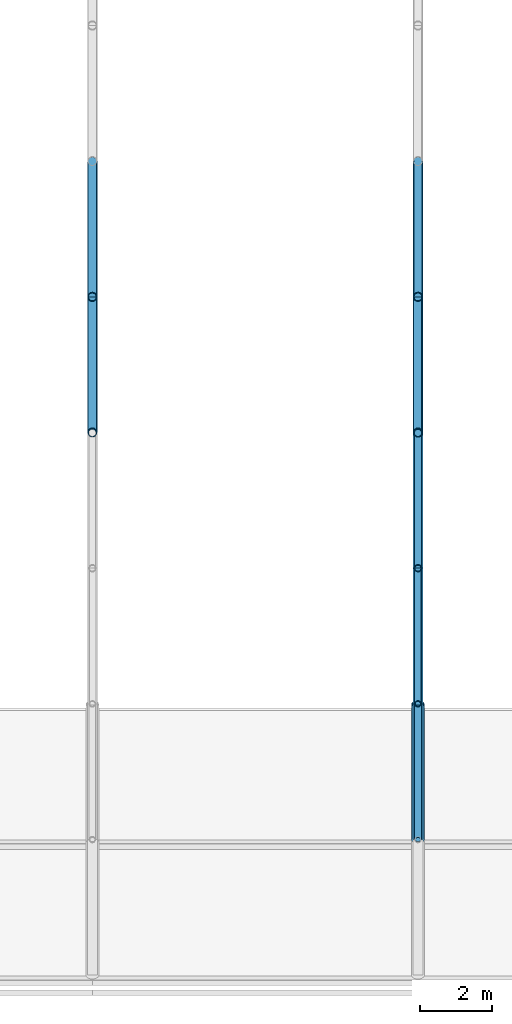
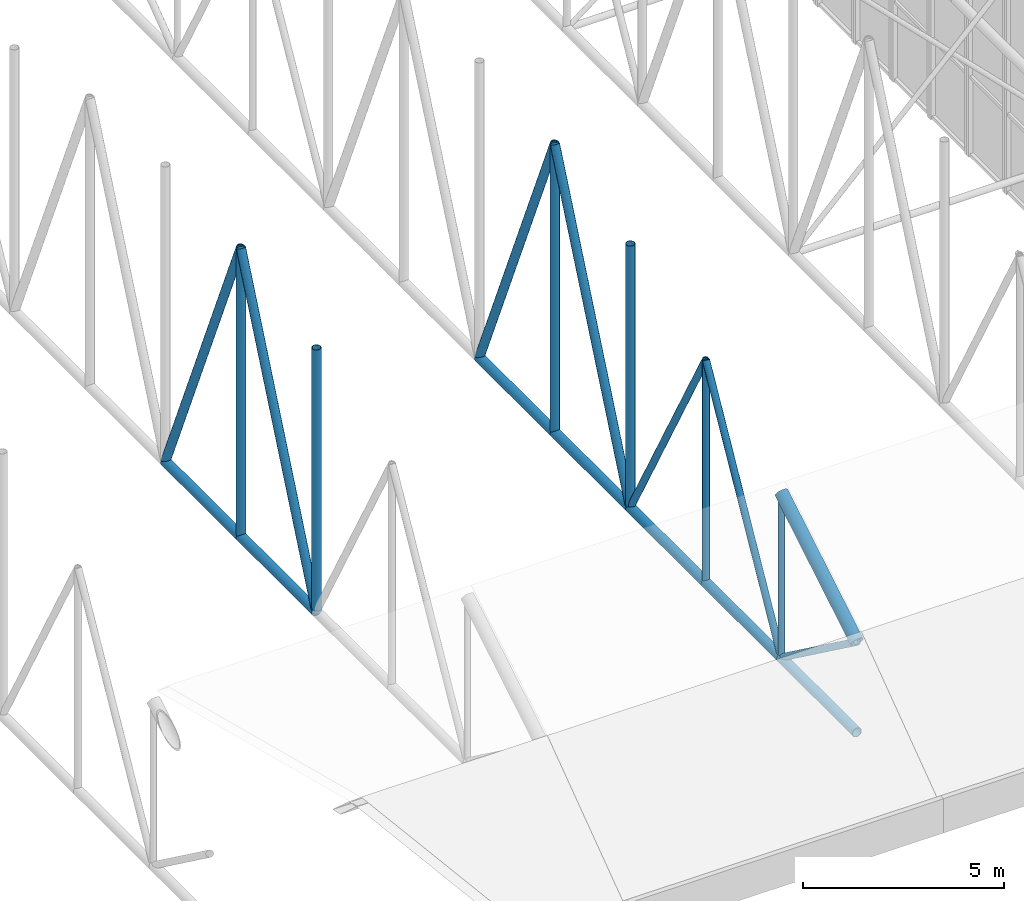
# One storey, part 61 of 153: 21 members.
"""IFC4 building model written with IfcOpenShell, lengths in metres."""

from ifc_helpers import new_model, si_unit, direction, frame, origin, origin_2d, place, context, subcontext, project, spatial, hollow_circle, extrude, material, material_profile, profile_set, type_object, element, save


model = new_model("IFC4")

# Units and contexts
model_context = context("Model", 3, precision=1e-05, world=origin(), true_north=direction((0.0, 1.0)))
body_context = subcontext(model_context, "Body", "Model", "MODEL_VIEW")
ifc_project = project(units=[si_unit("LENGTHUNIT", "METRE"), si_unit("AREAUNIT", "SQUARE_METRE"), si_unit("VOLUMEUNIT", "CUBIC_METRE"), si_unit("PLANEANGLEUNIT", "RADIAN"), si_unit("MASSUNIT", "GRAM", prefix="KILO")], contexts=[model_context])

# Site, building, storey
site_placement = place(None, origin())
site = spatial("IfcSite", under=ifc_project, at=site_placement, CompositionType="ELEMENT")
building_placement = place(site_placement, origin())
building = spatial("IfcBuilding", under=site, at=building_placement, Name="Baradari Gate Terminus", CompositionType="ELEMENT")
storey_placement = place(building_placement, frame((0.0, 0.0, 11.699951171875)))
storey = spatial("IfcBuildingStorey", under=building, at=storey_placement, Name="L02", CompositionType="ELEMENT", Elevation=11.699951171875)

# Members
ifc_material_1 = material(Name="Steel S355", Category="steel")
ifc_material_profile_1 = material_profile(ifc_material_1, hollow_circle(Radius=0.136474609375, WallThickness=0.012451171875, at=origin_2d()), Name="CHS 273x12.5")
ifc_profile_set_1 = profile_set([ifc_material_profile_1], Name="Steel S355")
member_type_1 = type_object("IfcMemberType", Name="Shed bottom chord CHS 273x12.5", PredefinedType="CHORD", material=ifc_profile_set_1)
for number, where, z_axis, x_axis, name in (
    (1, (216.0, 51.0, 0.136474609375), (0.0, 1.0, 0.0), (-1.0, 0.0, 0.0), "TR/L02/S216-BC04"),
    (2, (216.0, 54.75, 0.136474609375), (0.0, 1.0, 0.0), (-1.0, 0.0, 0.0), "TR/L02/S216-BC05"),
    (3, (225.0, 39.75, 0.136474609375), (0.0, 1.0, 0.0), (-1.0, 0.0, 0.0), "TR/L02/S225-BC01"),
    (4, (225.0, 43.5, 0.136474609375), (0.0, 1.0, 0.0), (-1.0, 0.0, 0.0), "TR/L02/S225-BC02"),
    (5, (225.0, 47.25, 0.136474609375), (0.0, 1.0, 0.0), (-1.0, 0.0, 0.0), "TR/L02/S225-BC03"),
    (6, (225.0, 51.0, 0.136474609375), (0.0, 1.0, 0.0), (-1.0, 0.0, 0.0), "TR/L02/S225-BC04"),
    (7, (225.0, 54.75, 0.136474609375), (0.0, 1.0, 0.0), (-1.0, 0.0, 0.0), "TR/L02/S225-BC05"),
):
    element("IfcMember", number, at=place(storey_placement, frame(where, z_axis=z_axis, x_axis=x_axis)), inside=storey, type_object=member_type_1, Name=name, PredefinedType="CHORD", context=body_context, shape_type="SweptSolid", body=[
        extrude(hollow_circle(Radius=0.136474609375, WallThickness=0.012451171875, at=origin_2d()), origin(), (0.0, 0.0, 1.0), 3.75),
    ])
ifc_material_2 = material(Name="Steel S355", Category="steel")
ifc_material_profile_2 = material_profile(ifc_material_2, hollow_circle(Radius=0.177734375, WallThickness=0.01611328125, at=origin_2d()), Name="CHS 355.6x16")
ifc_profile_set_2 = profile_set([ifc_material_profile_2], Name="Steel S355")
member_type_2 = type_object("IfcMemberType", Name="Shed top chord CHS 355.6x16", PredefinedType="CHORD", material=ifc_profile_set_2)
member_1_placement = place(storey_placement, frame((225.0, 39.75, 2.886474609375), z_axis=(0.0, 0.857492925713, 0.514495755428), x_axis=(-1.0, 0.0, 0.0)))
element("IfcMember", 8, at=member_1_placement, inside=storey, type_object=member_type_2, Name="TR/L02/S225-TC01", PredefinedType="CHORD", context=body_context, shape_type="SweptSolid", body=[
    extrude(hollow_circle(Radius=0.177734375, WallThickness=0.01611328125, at=origin_2d()), origin(), (0.0, 0.0, 1.0), 4.373291015625),
])
ifc_material_3 = material(Name="Steel S355", Category="steel")
ifc_material_profile_3 = material_profile(ifc_material_3, hollow_circle(Radius=0.096923828125, WallThickness=0.008056640625, at=origin_2d()), Name="CHS 193.7x8")
ifc_profile_set_3 = profile_set([ifc_material_profile_3], Name="Steel S355")
member_type_3 = type_object("IfcMemberType", Name="Shed truss diagonal CHS 193.7x8", PredefinedType="BRACE", material=ifc_profile_set_3)
member_2_placement = place(storey_placement, frame((225.0, 39.75, 2.886474609375), z_axis=(0.0, 0.806404995856, -0.591363663628), x_axis=(-1.0, 0.0, 0.0)))
element("IfcMember", 9, at=member_2_placement, inside=storey, type_object=member_type_3, Name="TR/L02/S225-SD01", PredefinedType="BRACE", context=body_context, shape_type="SweptSolid", body=[
    extrude(hollow_circle(Radius=0.096923828125, WallThickness=0.008056640625, at=origin_2d()), origin(), (0.0, 0.0, 1.0), 4.650390625),
])
for number, where, z_axis, x_axis, name in (
    (10, (225.0, 47.25, 6.886474609375), (0.0, -0.485642931179, -0.874157276122), (1.0, 0.0, 0.0), "TR/L02/S225-SD02"),
    (11, (225.0, 47.25, 6.886474609375), (0.0, 0.485642931179, -0.874157276122), (-1.0, 0.0, 0.0), "TR/L02/S225-SD03"),
):
    element("IfcMember", number, at=place(storey_placement, frame(where, z_axis=z_axis, x_axis=x_axis)), inside=storey, type_object=member_type_3, Name=name, PredefinedType="BRACE", context=body_context, shape_type="SweptSolid", body=[
        extrude(hollow_circle(Radius=0.096923828125, WallThickness=0.008056640625, at=origin_2d()), origin(), (0.0, 0.0, 1.0), 7.7216796875),
    ])
ifc_material_4 = material(Name="Steel S355", Category="steel")
ifc_material_profile_4 = material_profile(ifc_material_4, hollow_circle(Radius=0.122314453125, WallThickness=0.010009765625, at=origin_2d()), Name="CHS 244.5x10")
ifc_profile_set_4 = profile_set([ifc_material_profile_4], Name="Steel S355")
member_type_4 = type_object("IfcMemberType", Name="Shed truss diagonal CHS 244.5x10", PredefinedType="BRACE", material=ifc_profile_set_4)
for number, where, z_axis, x_axis, name in (
    (12, (216.0, 54.75, 8.886474609375), (0.0, -0.393919298579, -0.919145030018), (1.0, 0.0, 0.0), "TR/L02/S216-SD04"),
    (13, (216.0, 54.75, 8.886474609375), (0.0, 0.393919298579, -0.919145030018), (-1.0, 0.0, 0.0), "TR/L02/S216-SD05"),
    (14, (225.0, 54.75, 8.886474609375), (0.0, -0.393919298579, -0.919145030018), (1.0, 0.0, 0.0), "TR/L02/S225-SD04"),
    (15, (225.0, 54.75, 8.886474609375), (0.0, 0.393919298579, -0.919145030018), (-1.0, 0.0, 0.0), "TR/L02/S225-SD05"),
):
    element("IfcMember", number, at=place(storey_placement, frame(where, z_axis=z_axis, x_axis=x_axis)), inside=storey, type_object=member_type_4, Name=name, PredefinedType="BRACE", context=body_context, shape_type="SweptSolid", body=[
        extrude(hollow_circle(Radius=0.122314453125, WallThickness=0.010009765625, at=origin_2d()), origin(), (0.0, 0.0, 1.0), 9.519775390625),
    ])
ifc_material_5 = material(Name="Steel S355", Category="steel")
ifc_material_profile_5 = material_profile(ifc_material_5, hollow_circle(Radius=0.084228515625, WallThickness=0.008056640625, at=origin_2d()), Name="CHS 168.3x8")
ifc_profile_set_5 = profile_set([ifc_material_profile_5], Name="Steel S355")
member_type_5 = type_object("IfcMemberType", Name="Shed truss post CHS 168.3x8", PredefinedType="POST", material=ifc_profile_set_5)
member_3_placement = place(storey_placement, frame((225.0, 43.5, 0.136474609375), z_axis=(0.0, 0.0, 1.0), x_axis=(1.0, 0.0, 0.0)))
element("IfcMember", 16, at=member_3_placement, inside=storey, type_object=member_type_5, Name="TR/L02/S225-SP02", PredefinedType="POST", context=body_context, shape_type="SweptSolid", body=[
    extrude(hollow_circle(Radius=0.084228515625, WallThickness=0.008056640625, at=origin_2d()), origin(), (0.0, 0.0, 1.0), 5.0),
])
ifc_material_6 = material(Name="Steel S355", Category="steel")
ifc_material_profile_6 = material_profile(ifc_material_6, hollow_circle(Radius=0.096923828125, WallThickness=0.008056640625, at=origin_2d()), Name="CHS 193.7x8")
ifc_profile_set_6 = profile_set([ifc_material_profile_6], Name="Steel S355")
member_type_6 = type_object("IfcMemberType", Name="Shed truss post CHS 193.7x8", PredefinedType="POST", material=ifc_profile_set_6)
member_4_placement = place(storey_placement, frame((225.0, 47.25, 0.136474609375), z_axis=(0.0, 0.0, 1.0), x_axis=(1.0, 0.0, 0.0)))
element("IfcMember", 17, at=member_4_placement, inside=storey, type_object=member_type_6, Name="TR/L02/S225-SP03", PredefinedType="POST", context=body_context, shape_type="SweptSolid", body=[
    extrude(hollow_circle(Radius=0.096923828125, WallThickness=0.008056640625, at=origin_2d()), origin(), (0.0, 0.0, 1.0), 6.75),
])
ifc_material_7 = material(Name="Steel S355", Category="steel")
ifc_material_profile_7 = material_profile(ifc_material_7, hollow_circle(Radius=0.122314453125, WallThickness=0.010009765625, at=origin_2d()), Name="CHS 244.5x10")
ifc_profile_set_7 = profile_set([ifc_material_profile_7], Name="Steel S355")
member_type_7 = type_object("IfcMemberType", Name="Shed truss post CHS 244.5x10", PredefinedType="POST", material=ifc_profile_set_7)
member_5_placement = place(storey_placement, frame((216.0, 51.0, 0.136474609375), z_axis=(0.0, 0.0, 1.0), x_axis=(1.0, 0.0, 0.0)))
element("IfcMember", 18, at=member_5_placement, inside=storey, type_object=member_type_7, Name="TR/L02/S216-SP04", PredefinedType="POST", context=body_context, shape_type="SweptSolid", body=[
    extrude(hollow_circle(Radius=0.122314453125, WallThickness=0.010009765625, at=origin_2d()), origin(), (0.0, 0.0, 1.0), 8.0),
])
member_6_placement = place(storey_placement, frame((216.0, 54.75, 0.136474609375), z_axis=(0.0, 0.0, 1.0), x_axis=(1.0, 0.0, 0.0)))
element("IfcMember", 19, at=member_6_placement, inside=storey, type_object=member_type_7, Name="TR/L02/S216-SP05", PredefinedType="POST", context=body_context, shape_type="SweptSolid", body=[
    extrude(hollow_circle(Radius=0.122314453125, WallThickness=0.010009765625, at=origin_2d()), origin(), (0.0, 0.0, 1.0), 8.75),
])
member_7_placement = place(storey_placement, frame((225.0, 51.0, 0.136474609375), z_axis=(0.0, 0.0, 1.0), x_axis=(1.0, 0.0, 0.0)))
element("IfcMember", 20, at=member_7_placement, inside=storey, type_object=member_type_7, Name="TR/L02/S225-SP04", PredefinedType="POST", context=body_context, shape_type="SweptSolid", body=[
    extrude(hollow_circle(Radius=0.122314453125, WallThickness=0.010009765625, at=origin_2d()), origin(), (0.0, 0.0, 1.0), 8.0),
])
member_8_placement = place(storey_placement, frame((225.0, 54.75, 0.136474609375), z_axis=(0.0, 0.0, 1.0), x_axis=(1.0, 0.0, 0.0)))
element("IfcMember", 21, at=member_8_placement, inside=storey, type_object=member_type_7, Name="TR/L02/S225-SP05", PredefinedType="POST", context=body_context, shape_type="SweptSolid", body=[
    extrude(hollow_circle(Radius=0.122314453125, WallThickness=0.010009765625, at=origin_2d()), origin(), (0.0, 0.0, 1.0), 8.75),
])

save(model, "model.ifc")
